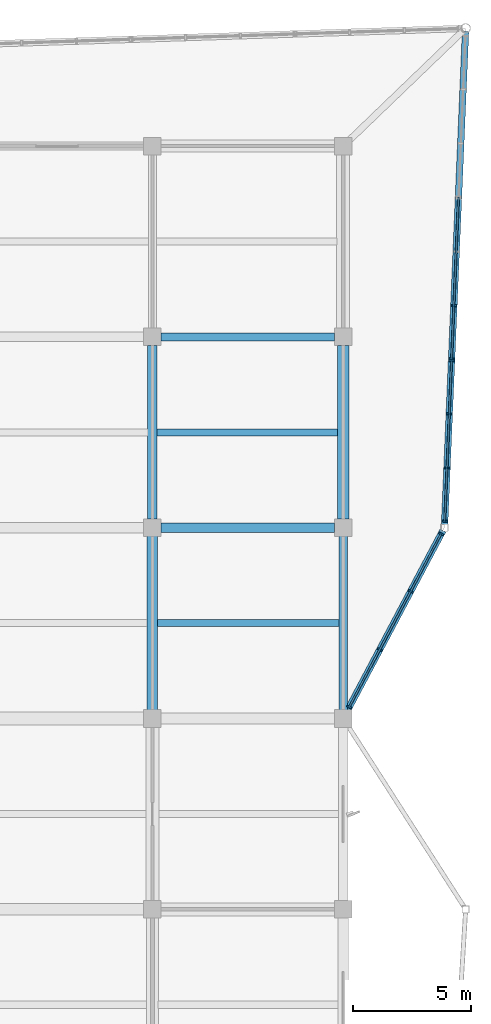
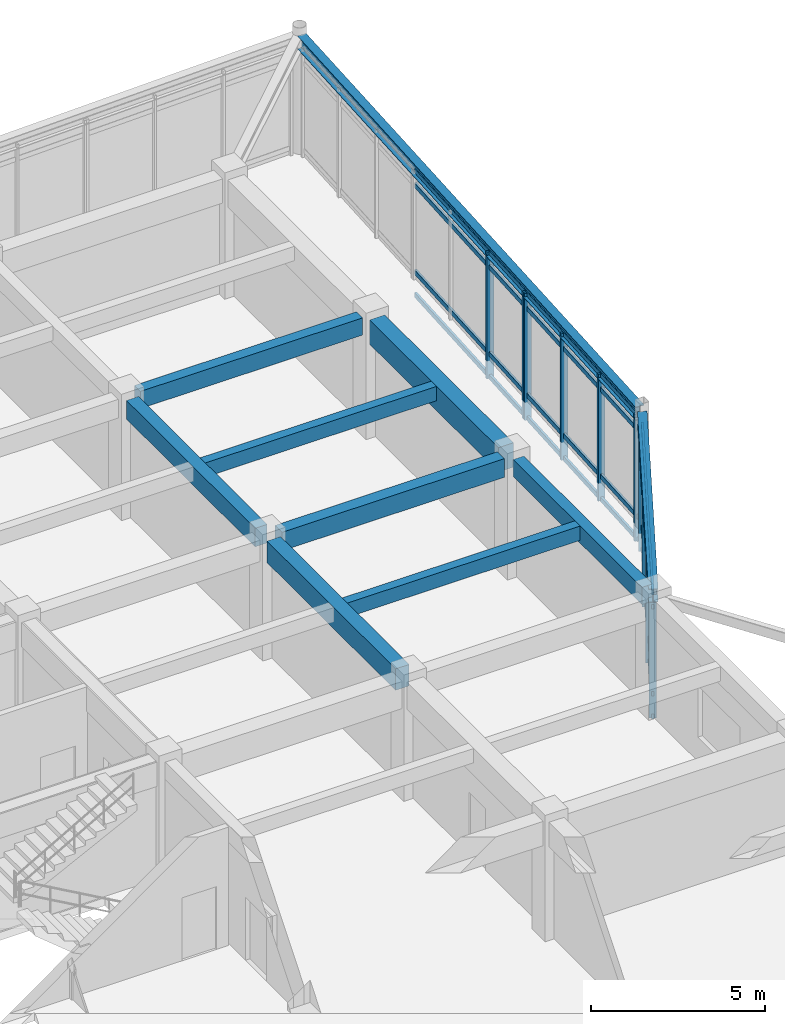
# One storey, part 43 of 89: 22 members, 10 beams, 3 elements without a shape of their own.
"""IFC4 building model written with IfcOpenShell, lengths in metres."""

from ifc_helpers import new_model, si_unit, direction, frame, origin, origin_2d, place, context, subcontext, project, spatial, rectangle, i_section, extrude, material, layer, layer_set, material_profile, profile_set, type_object, element, aggregate, save


model = new_model("IFC4")

# Units and contexts
model_context = context("Model", 3, precision=1e-05, world=origin(), true_north=direction((0.0, 1.0)))
body_context = subcontext(model_context, "Body", "Model", "MODEL_VIEW")
ifc_project = project(units=[si_unit("LENGTHUNIT", "METRE"), si_unit("AREAUNIT", "SQUARE_METRE"), si_unit("VOLUMEUNIT", "CUBIC_METRE"), si_unit("PLANEANGLEUNIT", "RADIAN"), si_unit("MASSUNIT", "GRAM", prefix="KILO")], contexts=[model_context])

# Site, building, storey
site_placement = place(None, origin())
site = spatial("IfcSite", under=ifc_project, at=site_placement, CompositionType="ELEMENT")
building_placement = place(site_placement, origin())
building = spatial("IfcBuilding", under=site, at=building_placement, Name="Vaudrelin Polytechnic", CompositionType="ELEMENT")
storey_placement = place(building_placement, frame((0.0, 0.0, 9.68994140625)))
storey = spatial("IfcBuildingStorey", under=building, at=storey_placement, Name="L02", CompositionType="ELEMENT", Elevation=9.68994140625)

# Beams
ifc_material_1 = material(Name="Concrete 40 MPa", Category="concrete")
ifc_material_profile_1 = material_profile(ifc_material_1, rectangle(XDim=0.35009765625, YDim=0.60009765625, at=origin_2d()), Name="RC350x600")
ifc_profile_set_1 = profile_set([ifc_material_profile_1], Name="Concrete 40 MPa")
beam_type_1 = type_object("IfcBeamType", Name="BM-BM-RC3560", PredefinedType="BEAM", material=ifc_profile_set_1)
beam_1_placement = place(storey_placement, frame((170.10009765625, 97.56005859375, 3.840087890625), z_axis=(0.0, 1.0, 0.0), x_axis=(-1.0, 0.0, 0.0)))
element("IfcBeam", 1, at=beam_1_placement, inside=storey, type_object=beam_type_1, Name="L02 Y-beam 22-13", PredefinedType="BEAM", context=body_context, shape_type="SweptSolid", body=[
    extrude(rectangle(XDim=0.35009765625, YDim=0.60009765625, at=origin_2d()), origin(), (0.0, 0.0, 1.0), 7.3798828125),
])
beam_2_placement = place(storey_placement, frame((162.37109375, 113.39990234375, 3.840087890625), z_axis=(1.0, 0.0, 0.0), x_axis=(0.0, 1.0, 0.0)))
element("IfcBeam", 2, at=beam_2_placement, inside=storey, type_object=beam_type_1, Name="L02 X-beam 21-15", PredefinedType="BEAM", context=body_context, shape_type="SweptSolid", body=[
    extrude(rectangle(XDim=0.35009765625, YDim=0.60009765625, at=origin_2d()), origin(), (0.0, 0.0, 1.0), 7.35791015625),
])
ifc_material_profile_2 = material_profile(ifc_material_1, rectangle(XDim=0.39990234375, YDim=0.64990234375, at=origin_2d()), Name="RC400x650")
ifc_profile_set_2 = profile_set([ifc_material_profile_2], Name="Concrete 40 MPa")
beam_type_2 = type_object("IfcBeamType", Name="BM-BM-RC4065", PredefinedType="BEAM", material=ifc_profile_set_2)
beam_3_placement = place(storey_placement, frame((162.0, 105.659912109375, 3.81494140625), z_axis=(0.0, 1.0, 0.0), x_axis=(-1.0, 0.0, 0.0)))
element("IfcBeam", 3, at=beam_3_placement, inside=storey, type_object=beam_type_2, Name="L02 Y-beam 21-14", PredefinedType="BEAM", context=body_context, shape_type="SweptSolid", body=[
    extrude(rectangle(XDim=0.39990234375, YDim=0.64990234375, at=origin_2d()), origin(), (0.0, 0.0, 1.0), 7.380126953125),
])
beam_4_placement = place(storey_placement, frame((162.37109375, 105.300048828125, 3.81494140625), z_axis=(1.0, 0.0, 0.0), x_axis=(0.0, 1.0, 0.0)))
element("IfcBeam", 4, at=beam_4_placement, inside=storey, type_object=beam_type_2, Name="L02 X-beam 21-14", PredefinedType="BEAM", context=body_context, shape_type="SweptSolid", body=[
    extrude(rectangle(XDim=0.39990234375, YDim=0.64990234375, at=origin_2d()), origin(), (0.0, 0.0, 1.0), 7.35791015625),
])
ifc_material_profile_3 = material_profile(ifc_material_1, rectangle(XDim=0.449951171875, YDim=0.75, at=origin_2d()), Name="RC450x750")
ifc_profile_set_3 = profile_set([ifc_material_profile_3], Name="Concrete 40 MPa")
beam_type_3 = type_object("IfcBeamType", Name="BM-BM-RC4575", PredefinedType="BEAM", material=ifc_profile_set_3)
beam_5_placement = place(storey_placement, frame((162.0, 97.56005859375, 3.76513671875), z_axis=(0.0, 1.0, 0.0), x_axis=(-1.0, 0.0, 0.0)))
element("IfcBeam", 5, at=beam_5_placement, inside=storey, type_object=beam_type_3, Name="L02 Y-beam 21-13", PredefinedType="BEAM", context=body_context, shape_type="SweptSolid", body=[
    extrude(rectangle(XDim=0.449951171875, YDim=0.75, at=origin_2d()), origin(), (0.0, 0.0, 1.0), 7.3798828125),
])
ifc_material_profile_4 = material_profile(ifc_material_1, rectangle(XDim=0.5, YDim=0.85009765625, at=origin_2d()), Name="RC500x850")
ifc_profile_set_4 = profile_set([ifc_material_profile_4], Name="Concrete 40 MPa")
beam_type_4 = type_object("IfcBeamType", Name="BM-BM-RC5085", PredefinedType="BEAM", material=ifc_profile_set_4)
beam_6_placement = place(storey_placement, frame((170.10009765625, 105.659912109375, 3.715087890625), z_axis=(0.0, 1.0, 0.0), x_axis=(-1.0, 0.0, 0.0)))
element("IfcBeam", 6, at=beam_6_placement, inside=storey, type_object=beam_type_4, Name="L02 Y-beam 22-14", PredefinedType="BEAM", context=body_context, shape_type="SweptSolid", body=[
    extrude(rectangle(XDim=0.5, YDim=0.85009765625, at=origin_2d()), origin(), (0.0, 0.0, 1.0), 7.380126953125),
])
ifc_material_2 = material(Name="Steel CSA G40.21 350W", Category="steel")
ifc_material_profile_5 = material_profile(ifc_material_2, i_section(OverallWidth=0.280029296875, OverallDepth=0.462890625, WebThickness=0.0107421875, FlangeThickness=0.017333984375, FilletRadius=0.01806640625, at=origin_2d()), Name="W460x113")
ifc_profile_set_5 = profile_set([ifc_material_profile_5], Name="Steel CSA G40.21 350W")
beam_type_5 = type_object("IfcBeamType", Name="BM-BM-W460H", PredefinedType="BEAM", material=ifc_profile_set_5)
beam_7_placement = place(storey_placement, frame((175.294189453125, 126.360107421875, 3.908447265625), z_axis=(-0.042417646122, -0.999099966619, 0.0), x_axis=(0.999099966619, -0.042417646122, 0.0)))
element("IfcBeam", 7, at=beam_7_placement, inside=storey, type_object=beam_type_5, Name="Sculptural edge beam L02 NE_BM_3", PredefinedType="BEAM", context=body_context, shape_type="SweptSolid", body=[
    extrude(i_section(OverallWidth=0.280029296875, OverallDepth=0.462890625, WebThickness=0.0107421875, FlangeThickness=0.017333984375, FilletRadius=0.01806640625, at=origin_2d()), origin(), (0.0, 0.0, 1.0), 20.93896484375),
])
beam_8_placement = place(storey_placement, frame((174.33447265625, 105.17626953125, 3.908447265625), z_axis=(-0.468916952234, -0.883242261165, 0.0), x_axis=(0.883242261165, -0.468916952234, 0.0)))
element("IfcBeam", 8, at=beam_8_placement, inside=storey, type_object=beam_type_5, Name="Sculptural edge beam L02 NE_BM_4", PredefinedType="BEAM", context=body_context, shape_type="SweptSolid", body=[
    extrude(i_section(OverallWidth=0.280029296875, OverallDepth=0.462890625, WebThickness=0.0107421875, FlangeThickness=0.017333984375, FilletRadius=0.01806640625, at=origin_2d()), origin(), (0.0, 0.0, 1.0), 8.890625),
])
ifc_material_profile_6 = material_profile(ifc_material_1, rectangle(XDim=0.300048828125, YDim=0.5, at=origin_2d()), Name="RC300x500")
ifc_profile_set_6 = profile_set([ifc_material_profile_6], Name="Concrete 40 MPa")
beam_type_6 = type_object("IfcBeamType", Name="BM-JS-RC3050", PredefinedType="JOIST", material=ifc_profile_set_6)
beam_9_placement = place(storey_placement, frame((162.220947265625, 101.25, 3.89013671875), z_axis=(1.0, 0.0, 0.0), x_axis=(0.0, 1.0, 0.0)))
element("IfcBeam", 9, at=beam_9_placement, inside=storey, type_object=beam_type_6, Name="L02 floor joist 21-13", PredefinedType="JOIST", context=body_context, shape_type="SweptSolid", body=[
    extrude(rectangle(XDim=0.300048828125, YDim=0.5, at=origin_2d()), origin(), (0.0, 0.0, 1.0), 7.7080078125),
])
beam_10_placement = place(storey_placement, frame((162.196044921875, 109.35009765625, 3.89013671875), z_axis=(1.0, 0.0, 0.0), x_axis=(0.0, 1.0, 0.0)))
element("IfcBeam", 10, at=beam_10_placement, inside=storey, type_object=beam_type_6, Name="L02 floor joist 21-14", PredefinedType="JOIST", context=body_context, shape_type="SweptSolid", body=[
    extrude(rectangle(XDim=0.300048828125, YDim=0.5, at=origin_2d()), origin(), (0.0, 0.0, 1.0), 7.657958984375),
])

# Curtain wall, members
ifc_material_3 = material(Name="Thermally broken anodised aluminium AA 6063-T6 and low-e triple glazing", Category="aluminium")
ifc_layer = layer(ifc_material_3, 0.199951171875)
ifc_layer_set = layer_set([ifc_layer], Name="Thermally broken anodised aluminium AA 6063-T6 and low-e triple glazing")
curtain_wall_type = type_object("IfcCurtainWallType", Name="CW-CW-LAB", PredefinedType="USERDEFINED", material=ifc_layer_set)
curtain_wall_1_placement = place(storey_placement, origin())
curtain_wall_1 = element("IfcCurtainWall", 11, at=curtain_wall_1_placement, inside=storey, type_object=curtain_wall_type, Name="Curtain wall L02 NEP_3_1", ObjectType="CURTAIN WALL", PredefinedType="USERDEFINED")
ifc_material_4 = material(Name="Anodised aluminium AA 6063-T6", Category="aluminium")
ifc_material_profile_7 = material_profile(ifc_material_4, rectangle(XDim=0.074951171875, YDim=0.219970703125, at=origin_2d()), Name="CWM-75x220")
ifc_profile_set_7 = profile_set([ifc_material_profile_7], Name="Anodised aluminium AA 6063-T6")
member_type_1 = type_object("IfcMemberType", Name="MEM-CWM-220", PredefinedType="MULLION", material=ifc_profile_set_7)
member_1_placement = place(storey_placement, frame((174.80029296875, 114.72607421875, -0.6298828125), z_axis=(0.0, 0.0, 1.0), x_axis=(-0.042405411318, -0.999100485983, 0.0)))
member_1 = element("IfcMember", 12, at=member_1_placement, type_object=member_type_1, Name="NEP_3_1 mullion 3", PredefinedType="MULLION", context=body_context, shape_type="SweptSolid", body=[
    extrude(rectangle(XDim=0.074951171875, YDim=0.219970703125, at=origin_2d()), origin(), (0.0, 0.0, 1.0), 4.43994140625),
])
member_2_placement = place(storey_placement, frame((174.704345703125, 112.468994140625, -0.6298828125), z_axis=(0.0, 0.0, 1.0), x_axis=(-0.042405411318, -0.999100485983, 0.0)))
member_2 = element("IfcMember", 13, at=member_2_placement, type_object=member_type_1, Name="NEP_3_1 mullion 4", PredefinedType="MULLION", context=body_context, shape_type="SweptSolid", body=[
    extrude(rectangle(XDim=0.074951171875, YDim=0.219970703125, at=origin_2d()), origin(), (0.0, 0.0, 1.0), 4.43994140625),
])

curtain_wall_2_placement = place(storey_placement, origin())
curtain_wall_2 = element("IfcCurtainWall", 14, at=curtain_wall_2_placement, inside=storey, type_object=curtain_wall_type, Name="Curtain wall L02 NEP_3_2", ObjectType="CURTAIN WALL", PredefinedType="USERDEFINED")
member_3_placement = place(storey_placement, frame((174.700927734375, 112.388916015625, -0.6298828125), z_axis=(0.0, 0.0, 1.0), x_axis=(-0.042419882824, -0.999099871655, 0.0)))
member_3 = element("IfcMember", 15, at=member_3_placement, type_object=member_type_1, Name="NEP_3_2 mullion 1", PredefinedType="MULLION", context=body_context, shape_type="SweptSolid", body=[
    extrude(rectangle(XDim=0.074951171875, YDim=0.219970703125, at=origin_2d()), origin(), (0.0, 0.0, 1.0), 4.43994140625),
])
member_4_placement = place(storey_placement, frame((174.605224609375, 110.131591796875, -0.6298828125), z_axis=(0.0, 0.0, 1.0), x_axis=(-0.042419882824, -0.999099871655, 0.0)))
member_4 = element("IfcMember", 16, at=member_4_placement, type_object=member_type_1, Name="NEP_3_2 mullion 2", PredefinedType="MULLION", context=body_context, shape_type="SweptSolid", body=[
    extrude(rectangle(XDim=0.074951171875, YDim=0.219970703125, at=origin_2d()), origin(), (0.0, 0.0, 1.0), 4.43994140625),
])
member_5_placement = place(storey_placement, frame((174.507568359375, 107.834716796875, -0.6298828125), z_axis=(0.0, 0.0, 1.0), x_axis=(-0.042419882824, -0.999099871655, 0.0)))
member_5 = element("IfcMember", 17, at=member_5_placement, type_object=member_type_1, Name="NEP_3_2 mullion 3", PredefinedType="MULLION", context=body_context, shape_type="SweptSolid", body=[
    extrude(rectangle(XDim=0.074951171875, YDim=0.219970703125, at=origin_2d()), origin(), (0.0, 0.0, 1.0), 4.43994140625),
])
member_6_placement = place(storey_placement, frame((174.411865234375, 105.577392578125, -0.6298828125), z_axis=(0.0, 0.0, 1.0), x_axis=(-0.042419882824, -0.999099871655, 0.0)))
member_6 = element("IfcMember", 18, at=member_6_placement, type_object=member_type_1, Name="NEP_3_2 mullion 4", PredefinedType="MULLION", context=body_context, shape_type="SweptSolid", body=[
    extrude(rectangle(XDim=0.074951171875, YDim=0.219970703125, at=origin_2d()), origin(), (0.0, 0.0, 1.0), 4.43994140625),
])

curtain_wall_3_placement = place(storey_placement, origin())
curtain_wall_3 = element("IfcCurtainWall", 19, at=curtain_wall_3_placement, inside=storey, type_object=curtain_wall_type, Name="Curtain wall L02 NEP_4_0", ObjectType="CURTAIN WALL", PredefinedType="USERDEFINED")
member_7_placement = place(storey_placement, frame((174.260498046875, 105.037109375, -0.6298828125), z_axis=(0.0, 0.0, 1.0), x_axis=(-0.468895635288, -0.88325357809, 0.0)))
member_7 = element("IfcMember", 20, at=member_7_placement, type_object=member_type_1, Name="NEP_4_0 mullion 1", PredefinedType="MULLION", context=body_context, shape_type="SweptSolid", body=[
    extrude(rectangle(XDim=0.074951171875, YDim=0.219970703125, at=origin_2d()), origin(), (0.0, 0.0, 1.0), 4.43994140625),
])
member_8_placement = place(storey_placement, frame((172.9658203125, 102.598388671875, -0.6298828125), z_axis=(0.0, 0.0, 1.0), x_axis=(-0.468895635288, -0.88325357809, 0.0)))
member_8 = element("IfcMember", 21, at=member_8_placement, type_object=member_type_1, Name="NEP_4_0 mullion 2", PredefinedType="MULLION", context=body_context, shape_type="SweptSolid", body=[
    extrude(rectangle(XDim=0.074951171875, YDim=0.219970703125, at=origin_2d()), origin(), (0.0, 0.0, 1.0), 4.43994140625),
])
member_9_placement = place(storey_placement, frame((171.65234375, 100.124267578125, -0.6298828125), z_axis=(0.0, 0.0, 1.0), x_axis=(-0.468895635288, -0.88325357809, 0.0)))
member_9 = element("IfcMember", 22, at=member_9_placement, type_object=member_type_1, Name="NEP_4_0 mullion 3", PredefinedType="MULLION", context=body_context, shape_type="SweptSolid", body=[
    extrude(rectangle(XDim=0.074951171875, YDim=0.219970703125, at=origin_2d()), origin(), (0.0, 0.0, 1.0), 4.43994140625),
])
member_10_placement = place(storey_placement, frame((170.357666015625, 97.685302734375, -0.6298828125), z_axis=(0.0, 0.0, 1.0), x_axis=(-0.468895635288, -0.88325357809, 0.0)))
member_10 = element("IfcMember", 23, at=member_10_placement, type_object=member_type_1, Name="NEP_4_0 mullion 4", PredefinedType="MULLION", context=body_context, shape_type="SweptSolid", body=[
    extrude(rectangle(XDim=0.074951171875, YDim=0.219970703125, at=origin_2d()), origin(), (0.0, 0.0, 1.0), 4.43994140625),
])

# Member
ifc_material_profile_8 = material_profile(ifc_material_4, rectangle(XDim=0.074951171875, YDim=0.1650390625, at=origin_2d()), Name="CWT-75x165")
ifc_profile_set_8 = profile_set([ifc_material_profile_8], Name="Anodised aluminium AA 6063-T6")
member_type_2 = type_object("IfcMemberType", Name="MEM-CWT-165", PredefinedType="USERDEFINED", material=ifc_profile_set_8)
member_11_placement = place(storey_placement, frame((174.9951171875, 119.3203125, -0.579833984375), z_axis=(-0.042403460566, -0.999100568778, 0.0), x_axis=(0.999100568778, -0.042403460566, 0.0)))
member_11 = element("IfcMember", 24, at=member_11_placement, type_object=member_type_2, Name="NEP_3_1 transom 1", ObjectType="TRANSOM", PredefinedType="USERDEFINED", context=body_context, shape_type="SweptSolid", body=[
    extrude(rectangle(XDim=0.074951171875, YDim=0.1650390625, at=origin_2d()), origin(), (0.0, 0.0, 1.0), 6.8974609375),
])

member_12_placement = place(storey_placement, frame((174.9951171875, 119.3203125, 0.219970703125), z_axis=(-0.042403460566, -0.999100568778, 0.0), x_axis=(0.999100568778, -0.042403460566, 0.0)))
member_12 = element("IfcMember", 25, at=member_12_placement, type_object=member_type_2, Name="NEP_3_1 transom 2", ObjectType="TRANSOM", PredefinedType="USERDEFINED", context=body_context, shape_type="SweptSolid", body=[
    extrude(rectangle(XDim=0.074951171875, YDim=0.1650390625, at=origin_2d()), origin(), (0.0, 0.0, 1.0), 6.8974609375),
])

member_13_placement = place(storey_placement, frame((174.9951171875, 119.3203125, 3.260009765625), z_axis=(-0.042403460566, -0.999100568778, 0.0), x_axis=(0.999100568778, -0.042403460566, 0.0)))
member_13 = element("IfcMember", 26, at=member_13_placement, type_object=member_type_2, Name="NEP_3_1 transom 3", ObjectType="TRANSOM", PredefinedType="USERDEFINED", context=body_context, shape_type="SweptSolid", body=[
    extrude(rectangle(XDim=0.074951171875, YDim=0.1650390625, at=origin_2d()), origin(), (0.0, 0.0, 1.0), 6.8974609375),
])

member_14_placement = place(storey_placement, frame((174.9951171875, 119.3203125, 3.760009765625), z_axis=(-0.042403460566, -0.999100568778, 0.0), x_axis=(0.999100568778, -0.042403460566, 0.0)))
member_14 = element("IfcMember", 27, at=member_14_placement, type_object=member_type_2, Name="NEP_3_1 transom 4", ObjectType="TRANSOM", PredefinedType="USERDEFINED", context=body_context, shape_type="SweptSolid", body=[
    extrude(rectangle(XDim=0.074951171875, YDim=0.1650390625, at=origin_2d()), origin(), (0.0, 0.0, 1.0), 6.8974609375),
])

aggregate(curtain_wall_1, [member_1, member_2, member_11, member_12, member_13, member_14])

member_15_placement = place(storey_placement, frame((174.70263671875, 112.428955078125, -0.579833984375), z_axis=(-0.04240196109, -0.999100632417, 0.0), x_axis=(0.999100632417, -0.04240196109, 0.0)))
member_15 = element("IfcMember", 28, at=member_15_placement, type_object=member_type_2, Name="NEP_3_2 transom 1", ObjectType="TRANSOM", PredefinedType="USERDEFINED", context=body_context, shape_type="SweptSolid", body=[
    extrude(rectangle(XDim=0.074951171875, YDim=0.1650390625, at=origin_2d()), origin(), (0.0, 0.0, 1.0), 6.897705078125),
])

member_16_placement = place(storey_placement, frame((174.70263671875, 112.428955078125, 0.219970703125), z_axis=(-0.04240196109, -0.999100632417, 0.0), x_axis=(0.999100632417, -0.04240196109, 0.0)))
member_16 = element("IfcMember", 29, at=member_16_placement, type_object=member_type_2, Name="NEP_3_2 transom 2", ObjectType="TRANSOM", PredefinedType="USERDEFINED", context=body_context, shape_type="SweptSolid", body=[
    extrude(rectangle(XDim=0.074951171875, YDim=0.1650390625, at=origin_2d()), origin(), (0.0, 0.0, 1.0), 6.897705078125),
])

member_17_placement = place(storey_placement, frame((174.70263671875, 112.428955078125, 3.260009765625), z_axis=(-0.04240196109, -0.999100632417, 0.0), x_axis=(0.999100632417, -0.04240196109, 0.0)))
member_17 = element("IfcMember", 30, at=member_17_placement, type_object=member_type_2, Name="NEP_3_2 transom 3", ObjectType="TRANSOM", PredefinedType="USERDEFINED", context=body_context, shape_type="SweptSolid", body=[
    extrude(rectangle(XDim=0.074951171875, YDim=0.1650390625, at=origin_2d()), origin(), (0.0, 0.0, 1.0), 6.897705078125),
])

member_18_placement = place(storey_placement, frame((174.70263671875, 112.428955078125, 3.760009765625), z_axis=(-0.04240196109, -0.999100632417, 0.0), x_axis=(0.999100632417, -0.04240196109, 0.0)))
member_18 = element("IfcMember", 31, at=member_18_placement, type_object=member_type_2, Name="NEP_3_2 transom 4", ObjectType="TRANSOM", PredefinedType="USERDEFINED", context=body_context, shape_type="SweptSolid", body=[
    extrude(rectangle(XDim=0.074951171875, YDim=0.1650390625, at=origin_2d()), origin(), (0.0, 0.0, 1.0), 6.897705078125),
])

aggregate(curtain_wall_2, [member_3, member_4, member_5, member_6, member_15, member_16, member_17, member_18])

member_19_placement = place(storey_placement, frame((174.279296875, 105.072509765625, -0.579833984375), z_axis=(-0.468904556068, -0.883248842229, 0.0), x_axis=(0.883248842229, -0.468904556068, 0.0)))
member_19 = element("IfcMember", 32, at=member_19_placement, type_object=member_type_2, Name="NEP_4_0 transom 1", ObjectType="TRANSOM", PredefinedType="USERDEFINED", context=body_context, shape_type="SweptSolid", body=[
    extrude(rectangle(XDim=0.074951171875, YDim=0.1650390625, at=origin_2d()), origin(), (0.0, 0.0, 1.0), 8.403564453125),
])

member_20_placement = place(storey_placement, frame((174.279296875, 105.072509765625, 0.219970703125), z_axis=(-0.468904556068, -0.883248842229, 0.0), x_axis=(0.883248842229, -0.468904556068, 0.0)))
member_20 = element("IfcMember", 33, at=member_20_placement, type_object=member_type_2, Name="NEP_4_0 transom 2", ObjectType="TRANSOM", PredefinedType="USERDEFINED", context=body_context, shape_type="SweptSolid", body=[
    extrude(rectangle(XDim=0.074951171875, YDim=0.1650390625, at=origin_2d()), origin(), (0.0, 0.0, 1.0), 8.403564453125),
])

member_21_placement = place(storey_placement, frame((174.279296875, 105.072509765625, 3.260009765625), z_axis=(-0.468904556068, -0.883248842229, 0.0), x_axis=(0.883248842229, -0.468904556068, 0.0)))
member_21 = element("IfcMember", 34, at=member_21_placement, type_object=member_type_2, Name="NEP_4_0 transom 3", ObjectType="TRANSOM", PredefinedType="USERDEFINED", context=body_context, shape_type="SweptSolid", body=[
    extrude(rectangle(XDim=0.074951171875, YDim=0.1650390625, at=origin_2d()), origin(), (0.0, 0.0, 1.0), 8.403564453125),
])

member_22_placement = place(storey_placement, frame((174.279296875, 105.072509765625, 3.760009765625), z_axis=(-0.468904556068, -0.883248842229, 0.0), x_axis=(0.883248842229, -0.468904556068, 0.0)))
member_22 = element("IfcMember", 35, at=member_22_placement, type_object=member_type_2, Name="NEP_4_0 transom 4", ObjectType="TRANSOM", PredefinedType="USERDEFINED", context=body_context, shape_type="SweptSolid", body=[
    extrude(rectangle(XDim=0.074951171875, YDim=0.1650390625, at=origin_2d()), origin(), (0.0, 0.0, 1.0), 8.403564453125),
])

aggregate(curtain_wall_3, [member_7, member_8, member_9, member_10, member_19, member_20, member_21, member_22])

save(model, "model.ifc")
